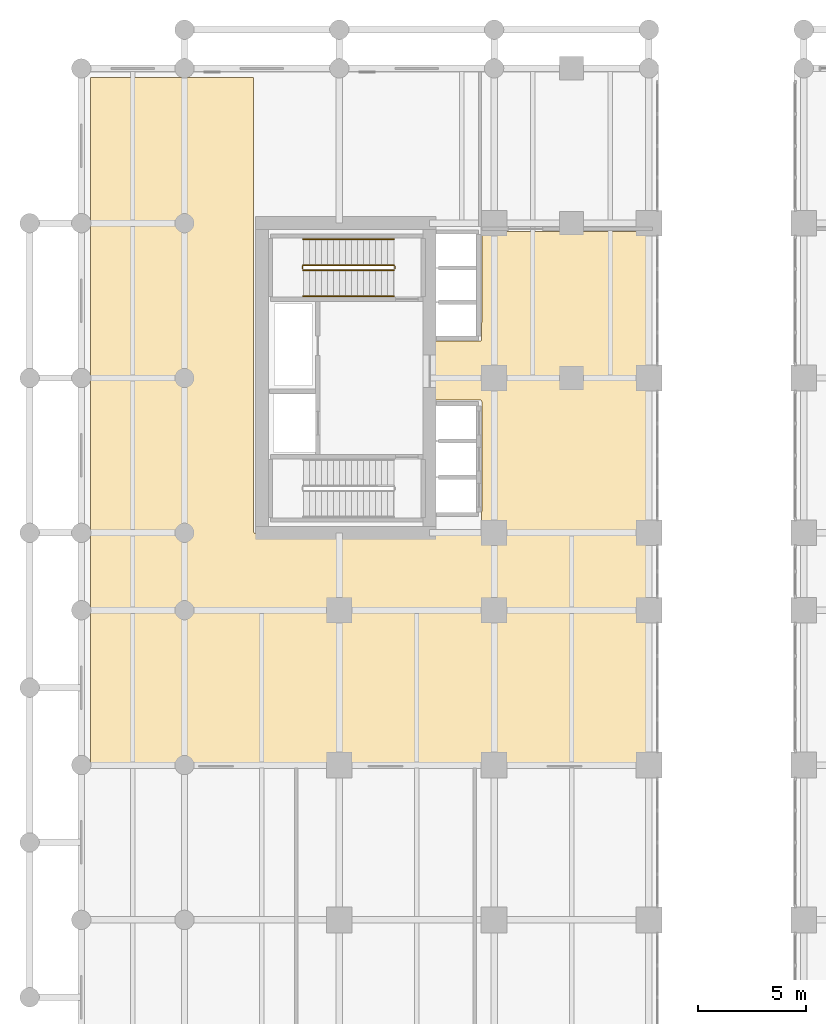
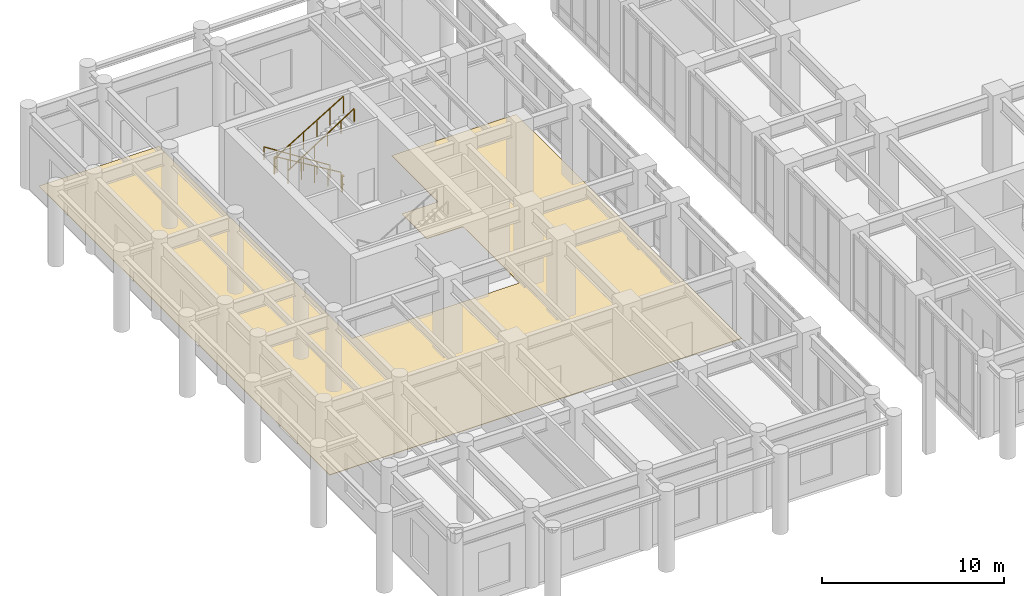
# One storey, part 22 of 23: 6 railings, 1 covering.
"""IFC4 building model written with IfcOpenShell, lengths in metres."""

from ifc_helpers import new_model, si_unit, derived_unit, direction, frame, origin, origin_2d, place, context, subcontext, project, spatial, polyline, rectangle, outline, extrude, material, layer, layer_set, type_object, element, save


model = new_model("IFC4")

# Units and contexts
model_context = context("Model", 3, precision=1e-05, world=origin(), true_north=direction((0.0, 1.0)))
body_context = subcontext(model_context, "Body", "Model", "MODEL_VIEW")
ifc_project = project(units=[si_unit("LENGTHUNIT", "METRE"), si_unit("AREAUNIT", "SQUARE_METRE"), si_unit("VOLUMEUNIT", "CUBIC_METRE"), si_unit("PLANEANGLEUNIT", "RADIAN"), si_unit("MASSUNIT", "GRAM", prefix="KILO"), si_unit("THERMODYNAMICTEMPERATUREUNIT", "KELVIN"), si_unit("POWERUNIT", "WATT"), derived_unit("THERMALTRANSMITTANCEUNIT", [(si_unit("POWERUNIT", "WATT"), 1), (si_unit("AREAUNIT", "SQUARE_METRE"), -1), (si_unit("THERMODYNAMICTEMPERATUREUNIT", "KELVIN"), -1)])], contexts=[model_context])

# Site, building, storey
site_placement = place(None, origin())
site = spatial("IfcSite", under=ifc_project, at=site_placement, CompositionType="ELEMENT")
building_placement = place(site_placement, origin())
building = spatial("IfcBuilding", under=site, at=building_placement, Name="Zahravan Archway Hotel and Residences", CompositionType="ELEMENT")
storey_placement = place(building_placement, frame((0.0, 0.0, 5.39990234375)))
storey = spatial("IfcBuildingStorey", under=building, at=storey_placement, Name="L01", CompositionType="ELEMENT", Elevation=5.39990234375)

# Covering
ifc_material_1 = material(Name="Honed Margalla Limestone & Mortar Bed", Category="masonry")
ifc_layer = layer(ifc_material_1, 0.030029296875, Name="Honed Margalla Limestone & Mortar Bed", Category="masonry")
ifc_layer_set = layer_set([ifc_layer], Name="Honed Margalla Limestone & Mortar Bed")
covering_type = type_object("IfcCoveringType", Name="COV-FLR-STONE", PredefinedType="FLOORING", material=ifc_layer_set)
covering_placement = place(storey_placement, origin())
element("IfcCovering", 1, at=covering_placement, inside=storey, type_object=covering_type, Name="L01 Circulation Floor Finish", PredefinedType="FLOORING", context=body_context, shape_type="SweptSolid", body=[
    extrude(outline(polyline([(3.219970703125, 25.25), (3.2333984375, 25.20556640625), (3.269287109375, 25.176025390625), (3.5517578125, 25.169921875), (11.419921875, 25.14990234375), (13.75, 25.169921875), (13.79443359375, 25.18359375), (13.823974609375, 25.219482421875), (13.830078125, 31.300048828125), (13.81640625, 31.344482421875), (13.780517578125, 31.373779296875), (11.530029296875, 31.3798828125), (11.530029296875, 34.1201171875), (13.75, 34.1201171875), (13.79443359375, 34.133544921875), (13.823974609375, 34.16943359375), (13.830078125, 39.219970703125), (21.719970703125, 39.219970703125), (21.719970703125, 14.47998046875), (-4.3701171875, 14.47998046875), (-4.3701171875, 46.3701171875), (3.219970703125, 46.3701171875), (3.219970703125, 25.25)])), origin(), (0.0, 0.0, 1.0), 0.030029296875),
])

# Railings
ifc_material_2 = material(Name="Painted Tubular Steel", Category="steel")
railing_type_1 = type_object("IfcRailingType", Name="RL-STG-1150", PredefinedType="GUARDRAIL", material=ifc_material_2)
railing_1_placement = place(storey_placement, frame((9.72998046875, 37.64990234375, 0.1689453125)))
element("IfcRailing", 2, at=railing_1_placement, inside=storey, type_object=railing_type_1, Name="L01 ST-B2 stair guard 1", PredefinedType="GUARDRAIL", context=body_context, shape_type="SweptSolid", body=[
    extrude(rectangle(XDim=0.048095703125, YDim=0.048095703125, at=origin_2d()), frame((0.0, 0.0, 1.1259765625), z_axis=(-0.856476492594, 0.0, 0.516186030065), x_axis=(0.0, -1.0, 0.0)), (0.0, 0.0, 1.0), 4.90380859375),
    extrude(rectangle(XDim=0.0419921875, YDim=0.0419921875, at=origin_2d()), origin(), (0.0, 0.0, 1.0), 1.101806640625),
    extrude(rectangle(XDim=0.0419921875, YDim=0.0419921875, at=origin_2d()), frame((-0.840087890625, 0.0, 0.50634765625)), (0.0, 0.0, 1.0), 1.101806640625),
    extrude(rectangle(XDim=0.0419921875, YDim=0.0419921875, at=origin_2d()), frame((-1.679931640625, 0.0, 1.012451171875)), (0.0, 0.0, 1.0), 1.101806640625),
    extrude(rectangle(XDim=0.0419921875, YDim=0.0419921875, at=origin_2d()), frame((-2.52001953125, 0.0, 1.518798828125)), (0.0, 0.0, 1.0), 1.101806640625),
    extrude(rectangle(XDim=0.0419921875, YDim=0.0419921875, at=origin_2d()), frame((-3.35986328125, 0.0, 2.02490234375)), (0.0, 0.0, 1.0), 1.101806640625),
    extrude(rectangle(XDim=0.0419921875, YDim=0.0419921875, at=origin_2d()), frame((-4.199951171875, 0.0, 2.53125)), (0.0, 0.0, 1.0), 1.101806640625),
])
railing_2_placement = place(storey_placement, frame((5.47998046875, 37.60009765625, 2.7001953125)))
element("IfcRailing", 3, at=railing_2_placement, inside=storey, type_object=railing_type_1, Name="L01 ST-B2 stair guard 2", PredefinedType="GUARDRAIL", context=body_context, shape_type="SweptSolid", body=[
    extrude(rectangle(XDim=0.048095703125, YDim=0.048095703125, at=origin_2d()), frame((0.0, 0.0, 1.1259765625), z_axis=(0.0, -1.0, 0.0), x_axis=(1.0, 0.0, 0.0)), (0.0, 0.0, 1.0), 0.14013671875),
    extrude(rectangle(XDim=0.048095703125, YDim=0.048095703125, at=origin_2d()), frame((0.0, 0.0, 0.574951171875), z_axis=(0.0, -1.0, 0.0), x_axis=(1.0, 0.0, 0.0)), (0.0, 0.0, 1.0), 0.14013671875),
    extrude(rectangle(XDim=0.0419921875, YDim=0.0419921875, at=origin_2d()), origin(), (0.0, 0.0, 1.0), 1.101806640625),
])
railing_3_placement = place(storey_placement, frame((5.530029296875, 37.409912109375, 2.868896484375)))
element("IfcRailing", 4, at=railing_3_placement, inside=storey, type_object=railing_type_1, Name="L01 ST-B2 stair guard 3", PredefinedType="GUARDRAIL", context=body_context, shape_type="SweptSolid", body=[
    extrude(rectangle(XDim=0.048095703125, YDim=0.048095703125, at=origin_2d()), frame((0.0, 0.0, 1.1259765625), z_axis=(0.856476492594, 0.0, 0.516186030065), x_axis=(0.0, 1.0, 0.0)), (0.0, 0.0, 1.0), 4.90380859375),
    extrude(rectangle(XDim=0.0419921875, YDim=0.0419921875, at=origin_2d()), origin(), (0.0, 0.0, 1.0), 1.101806640625),
    extrude(rectangle(XDim=0.0419921875, YDim=0.0419921875, at=origin_2d()), frame((0.840087890625, 0.0, 0.50634765625)), (0.0, 0.0, 1.0), 1.101806640625),
    extrude(rectangle(XDim=0.0419921875, YDim=0.0419921875, at=origin_2d()), frame((1.679931640625, 0.0, 1.012451171875)), (0.0, 0.0, 1.0), 1.101806640625),
    extrude(rectangle(XDim=0.0419921875, YDim=0.0419921875, at=origin_2d()), frame((2.52001953125, 0.0, 1.518798828125)), (0.0, 0.0, 1.0), 1.101806640625),
    extrude(rectangle(XDim=0.0419921875, YDim=0.0419921875, at=origin_2d()), frame((3.35986328125, 0.0, 2.02490234375)), (0.0, 0.0, 1.0), 1.101806640625),
    extrude(rectangle(XDim=0.0419921875, YDim=0.0419921875, at=origin_2d()), frame((4.199951171875, 0.0, 2.53125)), (0.0, 0.0, 1.0), 1.101806640625),
])
railing_4_placement = place(storey_placement, frame((9.780029296875, 37.60009765625, 0.0)))
element("IfcRailing", 5, at=railing_4_placement, inside=storey, type_object=railing_type_1, Name="L01 ST-B2 stair guard 4", PredefinedType="GUARDRAIL", context=body_context, shape_type="SweptSolid", body=[
    extrude(rectangle(XDim=0.048095703125, YDim=0.048095703125, at=origin_2d()), frame((0.0, 0.0, 1.1259765625), z_axis=(0.0, -1.0, 0.0), x_axis=(1.0, 0.0, 0.0)), (0.0, 0.0, 1.0), 0.14013671875),
    extrude(rectangle(XDim=0.048095703125, YDim=0.048095703125, at=origin_2d()), frame((0.0, 0.0, 0.574951171875), z_axis=(0.0, -1.0, 0.0), x_axis=(1.0, 0.0, 0.0)), (0.0, 0.0, 1.0), 0.14013671875),
    extrude(rectangle(XDim=0.0419921875, YDim=0.0419921875, at=origin_2d()), origin(), (0.0, 0.0, 1.0), 1.101806640625),
])
ifc_material_3 = material(Name="Brushed Stainless Steel", Category="steel")
railing_type_2 = type_object("IfcRailingType", Name="RL-STH-900", PredefinedType="HANDRAIL", material=ifc_material_3)
railing_5_placement = place(storey_placement, frame((9.72998046875, 38.85009765625, 0.1689453125)))
element("IfcRailing", 6, at=railing_5_placement, inside=storey, type_object=railing_type_2, Name="L01 ST-B2 stair handrail 1", PredefinedType="HANDRAIL", context=body_context, shape_type="SweptSolid", body=[
    extrude(rectangle(XDim=0.048095703125, YDim=0.048095703125, at=origin_2d()), frame((0.0, 0.0, 0.8759765625), z_axis=(-0.841180064094, 0.0, 0.540755119968), x_axis=(0.0, -1.0, 0.0)), (0.0, 0.0, 1.0), 4.992919921875),
    extrude(rectangle(XDim=0.0419921875, YDim=0.0419921875, at=origin_2d()), origin(), (0.0, 0.0, 1.0), 0.851806640625),
    extrude(rectangle(XDim=0.0419921875, YDim=0.0419921875, at=origin_2d()), frame((-0.840087890625, 0.0, 0.5400390625)), (0.0, 0.0, 1.0), 0.851806640625),
    extrude(rectangle(XDim=0.0419921875, YDim=0.0419921875, at=origin_2d()), frame((-1.679931640625, 0.0, 1.080078125)), (0.0, 0.0, 1.0), 0.851806640625),
    extrude(rectangle(XDim=0.0419921875, YDim=0.0419921875, at=origin_2d()), frame((-2.52001953125, 0.0, 1.619873046875)), (0.0, 0.0, 1.0), 0.851806640625),
    extrude(rectangle(XDim=0.0419921875, YDim=0.0419921875, at=origin_2d()), frame((-3.35986328125, 0.0, 2.159912109375)), (0.0, 0.0, 1.0), 0.851806640625),
    extrude(rectangle(XDim=0.0419921875, YDim=0.0419921875, at=origin_2d()), frame((-4.199951171875, 0.0, 2.699951171875)), (0.0, 0.0, 1.0), 0.851806640625),
])
railing_6_placement = place(storey_placement, frame((5.530029296875, 36.2099609375, 2.868896484375)))
element("IfcRailing", 7, at=railing_6_placement, inside=storey, type_object=railing_type_2, Name="L01 ST-B2 stair handrail 2", PredefinedType="HANDRAIL", context=body_context, shape_type="SweptSolid", body=[
    extrude(rectangle(XDim=0.048095703125, YDim=0.048095703125, at=origin_2d()), frame((0.0, 0.0, 0.8759765625), z_axis=(0.841180064094, 0.0, 0.540755119968), x_axis=(0.0, 1.0, 0.0)), (0.0, 0.0, 1.0), 4.992919921875),
    extrude(rectangle(XDim=0.0419921875, YDim=0.0419921875, at=origin_2d()), origin(), (0.0, 0.0, 1.0), 0.851806640625),
    extrude(rectangle(XDim=0.0419921875, YDim=0.0419921875, at=origin_2d()), frame((0.840087890625, 0.0, 0.5400390625)), (0.0, 0.0, 1.0), 0.851806640625),
    extrude(rectangle(XDim=0.0419921875, YDim=0.0419921875, at=origin_2d()), frame((1.679931640625, 0.0, 1.080078125)), (0.0, 0.0, 1.0), 0.851806640625),
    extrude(rectangle(XDim=0.0419921875, YDim=0.0419921875, at=origin_2d()), frame((2.52001953125, 0.0, 1.619873046875)), (0.0, 0.0, 1.0), 0.851806640625),
    extrude(rectangle(XDim=0.0419921875, YDim=0.0419921875, at=origin_2d()), frame((3.35986328125, 0.0, 2.159912109375)), (0.0, 0.0, 1.0), 0.851806640625),
    extrude(rectangle(XDim=0.0419921875, YDim=0.0419921875, at=origin_2d()), frame((4.199951171875, 0.0, 2.699951171875)), (0.0, 0.0, 1.0), 0.851806640625),
])

save(model, "model.ifc")
